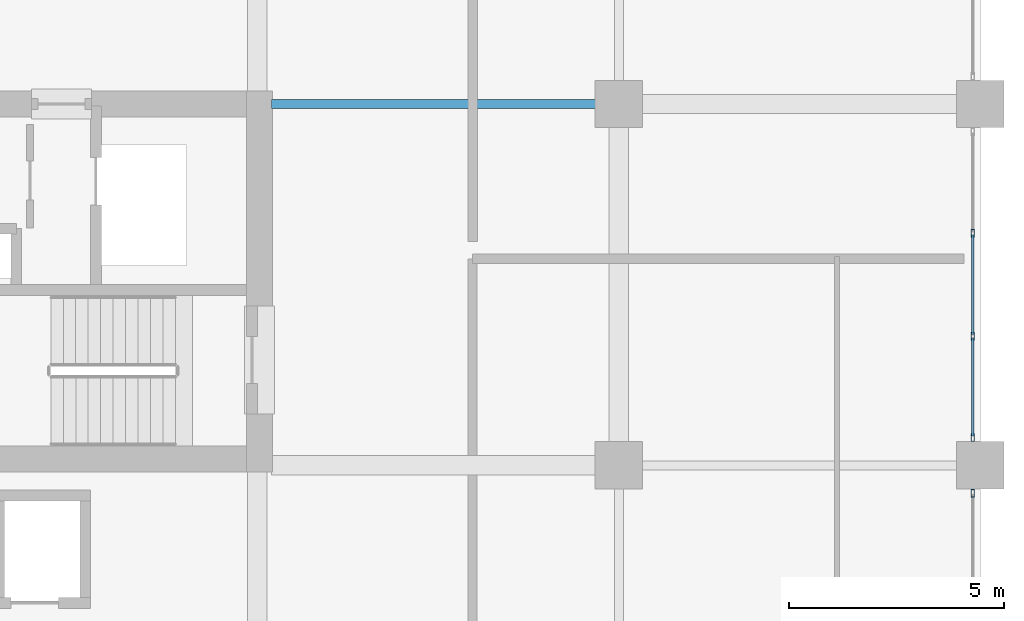
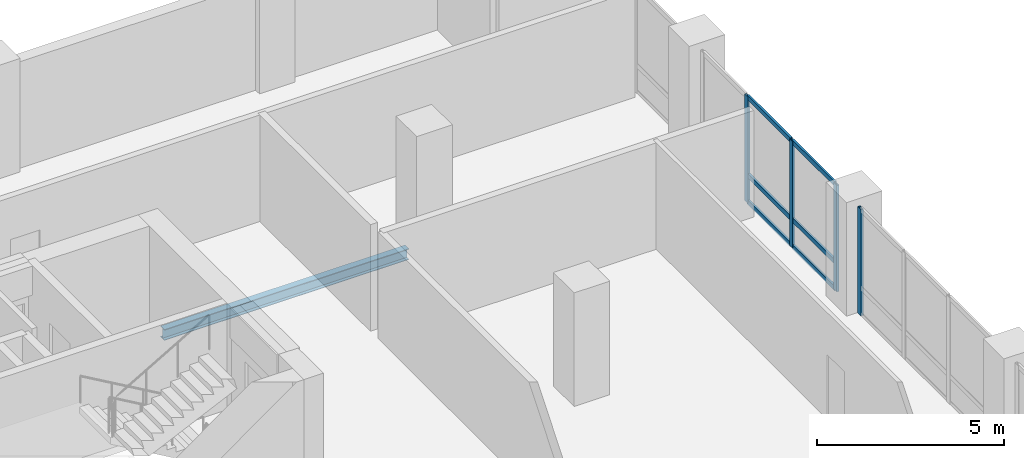
# One storey, part 6 of 21: 10 members, 1 beam, 2 elements without a shape of their own.
"""IFC4 building model written with IfcOpenShell, lengths in metres."""

from ifc_helpers import new_model, si_unit, direction, frame, origin, origin_2d, place, context, subcontext, project, spatial, hollow_rectangle, i_section, extrude, material, layer, layer_set, material_profile, profile_set, type_object, element, aggregate, save


model = new_model("IFC4")

# Units and contexts
model_context = context("Model", 3, precision=1e-05, world=origin(), true_north=direction((0.0, 1.0)))
body_context = subcontext(model_context, "Body", "Model", "MODEL_VIEW")
ifc_project = project(units=[si_unit("LENGTHUNIT", "METRE"), si_unit("AREAUNIT", "SQUARE_METRE"), si_unit("VOLUMEUNIT", "CUBIC_METRE"), si_unit("PLANEANGLEUNIT", "RADIAN"), si_unit("MASSUNIT", "GRAM", prefix="KILO")], contexts=[model_context])

# Site, building, storey
site_placement = place(None, origin())
site = spatial("IfcSite", under=ifc_project, at=site_placement, CompositionType="ELEMENT")
building_placement = place(site_placement, origin())
building = spatial("IfcBuilding", under=site, at=building_placement, Name="Koriwani Terraces Tower", CompositionType="ELEMENT")
storey_placement = place(building_placement, frame((0.0, 0.0, 197.60009765625)))
storey = spatial("IfcBuildingStorey", under=building, at=storey_placement, Name="L48", CompositionType="ELEMENT", Elevation=197.60009765625)

# Curtain wall, members
ifc_material_1 = material(Name="Anodised Bronze Aluminium", Category="aluminium")
ifc_layer = layer(ifc_material_1, 0.169921875, Name="Anodised Bronze Aluminium")
ifc_layer_set = layer_set([ifc_layer], Name="Anodised Bronze Aluminium")
curtain_wall_type = type_object("IfcCurtainWallType", Name="CW_RES_ZONE3", PredefinedType="NOTDEFINED", material=ifc_layer_set)
curtain_wall_1_placement = place(storey_placement, origin())
curtain_wall_1 = element("IfcCurtainWall", 1, at=curtain_wall_1_placement, inside=storey, type_object=curtain_wall_type, Name="L48 Unitised Curtain Wall (E_TIP) Bay 2", PredefinedType="NOTDEFINED")
ifc_material_profile_1 = material_profile(ifc_material_1, hollow_rectangle(XDim=0.074951171875, YDim=0.179931640625, WallThickness=0.006103515625, at=origin_2d()), Name="Anodised Bronze Aluminium", Category="LoadBearing")
ifc_profile_set_1 = profile_set([ifc_material_profile_1], Name="Anodised Bronze Aluminium")
member_type_1 = type_object("IfcMemberType", Name="CW_MULLION_180X75", PredefinedType="MULLION", material=ifc_profile_set_1)
member_1_placement = place(storey_placement, frame((75.425048828125, 22.19677734375, 0.0), z_axis=(0.0, 0.0, 1.0), x_axis=(1.0, 0.0, 0.0)))
member_1 = element("IfcMember", 2, at=member_1_placement, type_object=member_type_1, Name="CW-Z3 mullion 2", PredefinedType="MULLION", context=body_context, shape_type="SweptSolid", body=[
    extrude(hollow_rectangle(XDim=0.074951171875, YDim=0.179931640625, WallThickness=0.006103515625, at=origin_2d()), origin(), (0.0, 0.0, 1.0), 3.469970703125),
])
member_2_placement = place(storey_placement, frame((75.425048828125, 19.80322265625, 0.0), z_axis=(0.0, 0.0, 1.0), x_axis=(1.0, 0.0, 0.0)))
member_2 = element("IfcMember", 3, at=member_2_placement, type_object=member_type_1, Name="CW-Z3 mullion 3", PredefinedType="MULLION", context=body_context, shape_type="SweptSolid", body=[
    extrude(hollow_rectangle(XDim=0.074951171875, YDim=0.179931640625, WallThickness=0.006103515625, at=origin_2d()), origin(), (0.0, 0.0, 1.0), 3.469970703125),
])
member_3_placement = place(storey_placement, frame((75.425048828125, 17.447509765625, 0.0), z_axis=(0.0, 0.0, 1.0), x_axis=(1.0, 0.0, 0.0)))
member_3 = element("IfcMember", 4, at=member_3_placement, type_object=member_type_1, Name="CW-Z3 mullion 4", PredefinedType="MULLION", context=body_context, shape_type="SweptSolid", body=[
    extrude(hollow_rectangle(XDim=0.074951171875, YDim=0.179931640625, WallThickness=0.006103515625, at=origin_2d()), origin(), (0.0, 0.0, 1.0), 3.469970703125),
])

# Curtain wall, member
curtain_wall_2_placement = place(storey_placement, origin())
curtain_wall_2 = element("IfcCurtainWall", 5, at=curtain_wall_2_placement, inside=storey, type_object=curtain_wall_type, Name="L48 Unitised Curtain Wall (E_TIP) Bay 3", PredefinedType="NOTDEFINED")
member_4_placement = place(storey_placement, frame((75.425048828125, 16.152587890625, 0.0), z_axis=(0.0, 0.0, 1.0), x_axis=(1.0, 0.0, 0.0)))
member_4 = element("IfcMember", 6, at=member_4_placement, type_object=member_type_1, Name="CW-Z3 mullion 1", PredefinedType="MULLION", context=body_context, shape_type="SweptSolid", body=[
    extrude(hollow_rectangle(XDim=0.074951171875, YDim=0.179931640625, WallThickness=0.006103515625, at=origin_2d()), origin(), (0.0, 0.0, 1.0), 3.469970703125),
])
aggregate(curtain_wall_2, [member_4])

# Member
ifc_material_profile_2 = material_profile(ifc_material_1, hollow_rectangle(XDim=0.06494140625, YDim=0.14990234375, WallThickness=0.0048828125, at=origin_2d()), Name="Anodised Bronze Aluminium", Category="LoadBearing")
ifc_profile_set_2 = profile_set([ifc_material_profile_2], Name="Anodised Bronze Aluminium")
member_type_2 = type_object("IfcMemberType", Name="CW_TRANSOM_150X65", PredefinedType="USERDEFINED", material=ifc_profile_set_2)
member_5_placement = place(storey_placement, frame((75.425048828125, 22.1591796875, 0.032470703125), z_axis=(0.0, -1.0, 0.0), x_axis=(1.0, 0.0, 0.0)))
member_5 = element("IfcMember", 7, at=member_5_placement, type_object=member_type_2, Name="CW-Z3 transom 2.1", ObjectType="TRANSOM", PredefinedType="USERDEFINED", context=body_context, shape_type="SweptSolid", body=[
    extrude(hollow_rectangle(XDim=0.06494140625, YDim=0.14990234375, WallThickness=0.0048828125, at=origin_2d()), origin(), (0.0, 0.0, 1.0), 2.318359375),
])

member_6_placement = place(storey_placement, frame((75.425048828125, 22.1591796875, 0.89990234375), z_axis=(0.0, -1.0, 0.0), x_axis=(1.0, 0.0, 0.0)))
member_6 = element("IfcMember", 8, at=member_6_placement, type_object=member_type_2, Name="CW-Z3 transom 2.2", ObjectType="TRANSOM", PredefinedType="USERDEFINED", context=body_context, shape_type="SweptSolid", body=[
    extrude(hollow_rectangle(XDim=0.06494140625, YDim=0.14990234375, WallThickness=0.0048828125, at=origin_2d()), origin(), (0.0, 0.0, 1.0), 2.318359375),
])

member_7_placement = place(storey_placement, frame((75.425048828125, 22.1591796875, 3.4375), z_axis=(0.0, -1.0, 0.0), x_axis=(1.0, 0.0, 0.0)))
member_7 = element("IfcMember", 9, at=member_7_placement, type_object=member_type_2, Name="CW-Z3 transom 2.3", ObjectType="TRANSOM", PredefinedType="USERDEFINED", context=body_context, shape_type="SweptSolid", body=[
    extrude(hollow_rectangle(XDim=0.06494140625, YDim=0.14990234375, WallThickness=0.0048828125, at=origin_2d()), origin(), (0.0, 0.0, 1.0), 2.318359375),
])

member_8_placement = place(storey_placement, frame((75.425048828125, 19.765869140625, 0.032470703125), z_axis=(0.0, -1.0, 0.0), x_axis=(1.0, 0.0, 0.0)))
member_8 = element("IfcMember", 10, at=member_8_placement, type_object=member_type_2, Name="CW-Z3 transom 3.1", ObjectType="TRANSOM", PredefinedType="USERDEFINED", context=body_context, shape_type="SweptSolid", body=[
    extrude(hollow_rectangle(XDim=0.06494140625, YDim=0.14990234375, WallThickness=0.0048828125, at=origin_2d()), origin(), (0.0, 0.0, 1.0), 2.28076171875),
])

member_9_placement = place(storey_placement, frame((75.425048828125, 19.765869140625, 0.89990234375), z_axis=(0.0, -1.0, 0.0), x_axis=(1.0, 0.0, 0.0)))
member_9 = element("IfcMember", 11, at=member_9_placement, type_object=member_type_2, Name="CW-Z3 transom 3.2", ObjectType="TRANSOM", PredefinedType="USERDEFINED", context=body_context, shape_type="SweptSolid", body=[
    extrude(hollow_rectangle(XDim=0.06494140625, YDim=0.14990234375, WallThickness=0.0048828125, at=origin_2d()), origin(), (0.0, 0.0, 1.0), 2.28076171875),
])

member_10_placement = place(storey_placement, frame((75.425048828125, 19.765869140625, 3.4375), z_axis=(0.0, -1.0, 0.0), x_axis=(1.0, 0.0, 0.0)))
member_10 = element("IfcMember", 12, at=member_10_placement, type_object=member_type_2, Name="CW-Z3 transom 3.3", ObjectType="TRANSOM", PredefinedType="USERDEFINED", context=body_context, shape_type="SweptSolid", body=[
    extrude(hollow_rectangle(XDim=0.06494140625, YDim=0.14990234375, WallThickness=0.0048828125, at=origin_2d()), origin(), (0.0, 0.0, 1.0), 2.28076171875),
])

aggregate(curtain_wall_1, [member_1, member_2, member_3, member_5, member_6, member_7, member_8, member_9, member_10])

# Beam
ifc_material_2 = material(Name="Steel ASTM A572 Grade 50", Category="steel")
ifc_material_profile_3 = material_profile(ifc_material_2, i_section(OverallWidth=0.205078125, OverallDepth=0.35400390625, WebThickness=0.009521484375, FlangeThickness=0.016845703125, at=origin_2d()), Name="Steel ASTM A572 Grade 50", Category="LoadBearing")
ifc_profile_set_3 = profile_set([ifc_material_profile_3], Name="Steel ASTM A572 Grade 50")
beam_type = type_object("IfcBeamType", Name="STEEL_BEAM_W360X79", PredefinedType="JOIST", material=ifc_profile_set_3)
beam_placement = place(storey_placement, frame((59.1298828125, 25.199951171875, -0.406982421875), z_axis=(1.0, 0.0, 0.0), x_axis=(0.0, 1.0, 0.0)))
element("IfcBeam", 13, at=beam_placement, inside=storey, type_object=beam_type, Name="L48 Grid Beam D (58.8-67.2m)", PredefinedType="JOIST", context=body_context, shape_type="SweptSolid", body=[
    extrude(i_section(OverallWidth=0.205078125, OverallDepth=0.35400390625, WebThickness=0.009521484375, FlangeThickness=0.016845703125, at=origin_2d()), origin(), (0.0, 0.0, 1.0), 7.5400390625),
])

save(model, "model.ifc")
